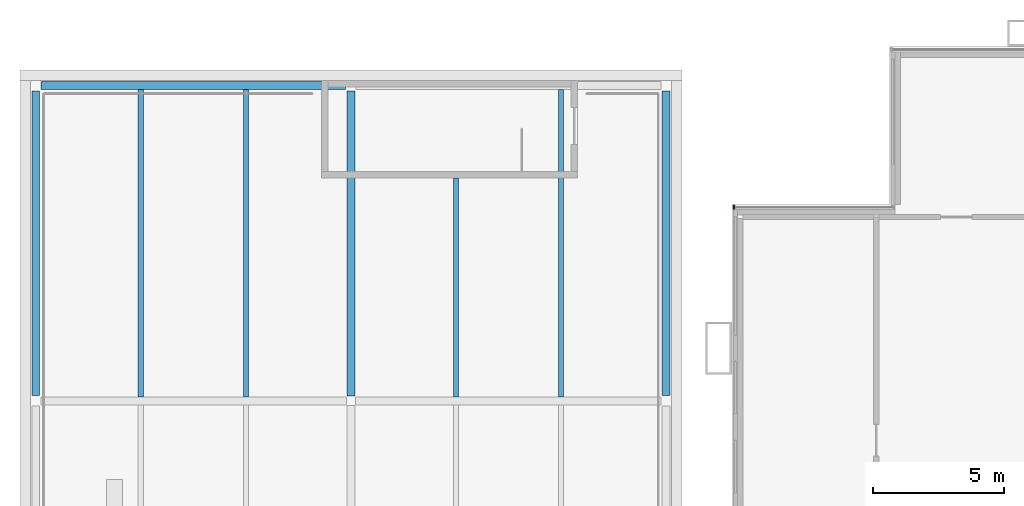
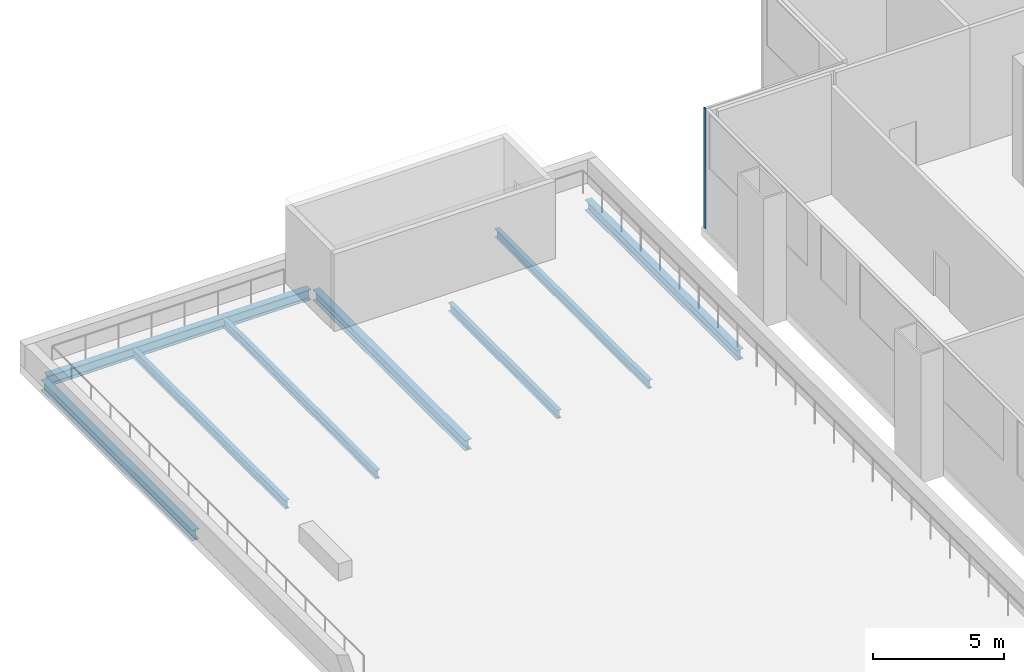
# One storey, part 13 of 27: 8 beams, 1 member, 1 element without a shape of its own.
"""IFC4 building model written with IfcOpenShell, lengths in metres."""

from ifc_helpers import new_model, si_unit, direction, frame, origin, origin_2d, place, context, subcontext, project, spatial, rectangle, i_section, extrude, material, material_profile, profile_set, type_object, element, aggregate, save


model = new_model("IFC4")

# Units and contexts
model_context = context("Model", 3, precision=1e-05, world=origin(), true_north=direction((0.0, 1.0)))
body_context = subcontext(model_context, "Body", "Model", "MODEL_VIEW")
ifc_project = project(units=[si_unit("LENGTHUNIT", "METRE"), si_unit("AREAUNIT", "SQUARE_METRE"), si_unit("VOLUMEUNIT", "CUBIC_METRE"), si_unit("PLANEANGLEUNIT", "RADIAN"), si_unit("MASSUNIT", "GRAM", prefix="KILO")], contexts=[model_context])

# Site, building, storey
site_placement = place(None, origin())
site = spatial("IfcSite", under=ifc_project, at=site_placement, CompositionType="ELEMENT")
building_placement = place(site_placement, origin())
building = spatial("IfcBuilding", under=site, at=building_placement, Name="Kitamizu Gate Tower and Museum", CompositionType="ELEMENT")
storey_placement = place(building_placement, frame((0.0, 0.0, 24.0)))
storey = spatial("IfcBuildingStorey", under=building, at=storey_placement, Name="L04", CompositionType="ELEMENT", Elevation=24.0)

# Curtain wall, member
ifc_material_1 = material(Name="Bronze anodised aluminium frame, tinted triple glazing", Category="aluminium")
curtain_wall_type = type_object("IfcCurtainWallType", Name="CURTAIN WALL TYPE F TRANSFER STOREY", PredefinedType="NOTDEFINED", material=ifc_material_1)
curtain_wall_placement = place(storey_placement, origin())
curtain_wall = element("IfcCurtainWall", 1, at=curtain_wall_placement, inside=storey, type_object=curtain_wall_type, Name="Curtain wall CW-F north L04", PredefinedType="NOTDEFINED")
ifc_material_2 = material(Name="Bronze anodised aluminium", Category="aluminium")
ifc_material_profile_1 = material_profile(ifc_material_2, rectangle(XDim=0.050048828125, YDim=0.14990234375, at=origin_2d()), Name="AL 50X150")
ifc_profile_set_1 = profile_set([ifc_material_profile_1], Name="Bronze anodised aluminium")
member_type = type_object("IfcMemberType", Name="MULLION 50 X 150 TYPE F", PredefinedType="MULLION", material=ifc_profile_set_1)
member_placement = place(storey_placement, frame((0.5849609375, 41.364990234375, 0.0), z_axis=(0.0, 0.0, 1.0), x_axis=(1.0, 0.0, 0.0)))
member = element("IfcMember", 2, at=member_placement, type_object=member_type, Name="CW-F mullion 1", PredefinedType="MULLION", context=body_context, shape_type="SweptSolid", body=[
    extrude(rectangle(XDim=0.050048828125, YDim=0.14990234375, at=origin_2d()), origin(), (0.0, 0.0, 1.0), 5.60009765625),
])
aggregate(curtain_wall, [member])

# Beams
ifc_material_3 = material(Name="Steel SS400", Category="steel")
ifc_material_profile_2 = material_profile(ifc_material_3, i_section(OverallWidth=0.300048828125, OverallDepth=0.488037109375, WebThickness=0.010986328125, FlangeThickness=0.01806640625, FilletRadius=0.02587890625, at=origin_2d()), Name="H-488x300x11x18")
ifc_profile_set_2 = profile_set([ifc_material_profile_2], Name="Steel SS400")
beam_type_1 = type_object("IfcBeamType", Name="Museum girder H 488x300x11x18", PredefinedType="BEAM", material=ifc_profile_set_2)
for number, where, z_axis, x_axis, name in (
    (3, (-25.800048828125, 46.0, -0.64404296875), (1.0, 0.0, 0.0), (0.0, 1.0, 0.0), "Girder xM1M2MG"),
    (4, (-26.0, 34.199951171875, -0.64404296875), (0.0, 1.0, 0.0), (-1.0, 0.0, 0.0), "Girder yM1MFMG"),
):
    element("IfcBeam", number, at=place(storey_placement, frame(where, z_axis=z_axis, x_axis=x_axis)), inside=storey, type_object=beam_type_1, Name=name, PredefinedType="BEAM", context=body_context, shape_type="SweptSolid", body=[
        extrude(i_section(OverallWidth=0.300048828125, OverallDepth=0.488037109375, WebThickness=0.010986328125, FlangeThickness=0.01806640625, FilletRadius=0.02587890625, at=origin_2d()), origin(), (0.0, 0.0, 1.0), 11.60009765625),
    ])
beam_1_placement = place(storey_placement, frame((-14.0, 34.175048828125, -0.64404296875), z_axis=(0.0, 1.0, 0.0), x_axis=(-1.0, 0.0, 0.0)))
element("IfcBeam", 5, at=beam_1_placement, inside=storey, type_object=beam_type_1, Name="Girder yM2MFMG", PredefinedType="BEAM", context=body_context, shape_type="SweptSolid", body=[
    extrude(i_section(OverallWidth=0.300048828125, OverallDepth=0.488037109375, WebThickness=0.010986328125, FlangeThickness=0.01806640625, FilletRadius=0.02587890625, at=origin_2d()), origin(), (0.0, 0.0, 1.0), 11.625),
])
beam_2_placement = place(storey_placement, frame((-2.0, 34.199951171875, -0.64404296875), z_axis=(0.0, 1.0, 0.0), x_axis=(-1.0, 0.0, 0.0)))
element("IfcBeam", 6, at=beam_2_placement, inside=storey, type_object=beam_type_1, Name="Girder yM3MFMG", PredefinedType="BEAM", context=body_context, shape_type="SweptSolid", body=[
    extrude(i_section(OverallWidth=0.300048828125, OverallDepth=0.488037109375, WebThickness=0.010986328125, FlangeThickness=0.01806640625, FilletRadius=0.02587890625, at=origin_2d()), origin(), (0.0, 0.0, 1.0), 11.60009765625),
])
ifc_material_4 = material(Name="Steel SS400", Category="steel")
ifc_material_profile_3 = material_profile(ifc_material_4, i_section(OverallWidth=0.198974609375, OverallDepth=0.39599609375, WebThickness=0.007080078125, FlangeThickness=0.010986328125, FilletRadius=0.01611328125, at=origin_2d()), Name="H-396x199x7x11")
ifc_profile_set_3 = profile_set([ifc_material_profile_3], Name="Steel SS400")
beam_type_2 = type_object("IfcBeamType", Name="Museum secondary beam H 396x199x7x11", PredefinedType="JOIST", material=ifc_profile_set_3)
for number, where, z_axis, x_axis, name in (
    (7, (-22.0, 34.14990234375, -0.597900390625), (0.0, 1.0, 0.0), (-1.0, 0.0, 0.0), "Secondary beam M1M2MFMG.1"),
    (8, (-18.0, 34.14990234375, -0.597900390625), (0.0, 1.0, 0.0), (-1.0, 0.0, 0.0), "Secondary beam M1M2MFMG.2"),
):
    element("IfcBeam", number, at=place(storey_placement, frame(where, z_axis=z_axis, x_axis=x_axis)), inside=storey, type_object=beam_type_2, Name=name, PredefinedType="JOIST", context=body_context, shape_type="SweptSolid", body=[
        extrude(i_section(OverallWidth=0.198974609375, OverallDepth=0.39599609375, WebThickness=0.007080078125, FlangeThickness=0.010986328125, FilletRadius=0.01611328125, at=origin_2d()), origin(), (0.0, 0.0, 1.0), 11.7001953125),
    ])
beam_3_placement = place(storey_placement, frame((-10.0, 34.14990234375, -0.597900390625), z_axis=(0.0, 1.0, 0.0), x_axis=(-1.0, 0.0, 0.0)))
element("IfcBeam", 9, at=beam_3_placement, inside=storey, type_object=beam_type_2, Name="Secondary beam M2M3MFMG.1", PredefinedType="JOIST", context=body_context, shape_type="SweptSolid", body=[
    extrude(i_section(OverallWidth=0.198974609375, OverallDepth=0.39599609375, WebThickness=0.007080078125, FlangeThickness=0.010986328125, FilletRadius=0.01611328125, at=origin_2d()), origin(), (0.0, 0.0, 1.0), 8.3251953125),
])
beam_4_placement = place(storey_placement, frame((-6.0, 34.14990234375, -0.597900390625), z_axis=(0.0, 1.0, 0.0), x_axis=(-1.0, 0.0, 0.0)))
element("IfcBeam", 10, at=beam_4_placement, inside=storey, type_object=beam_type_2, Name="Secondary beam M2M3MFMG.2", PredefinedType="JOIST", context=body_context, shape_type="SweptSolid", body=[
    extrude(i_section(OverallWidth=0.198974609375, OverallDepth=0.39599609375, WebThickness=0.007080078125, FlangeThickness=0.010986328125, FilletRadius=0.01611328125, at=origin_2d()), origin(), (0.0, 0.0, 1.0), 11.7001953125),
])

save(model, "model.ifc")
